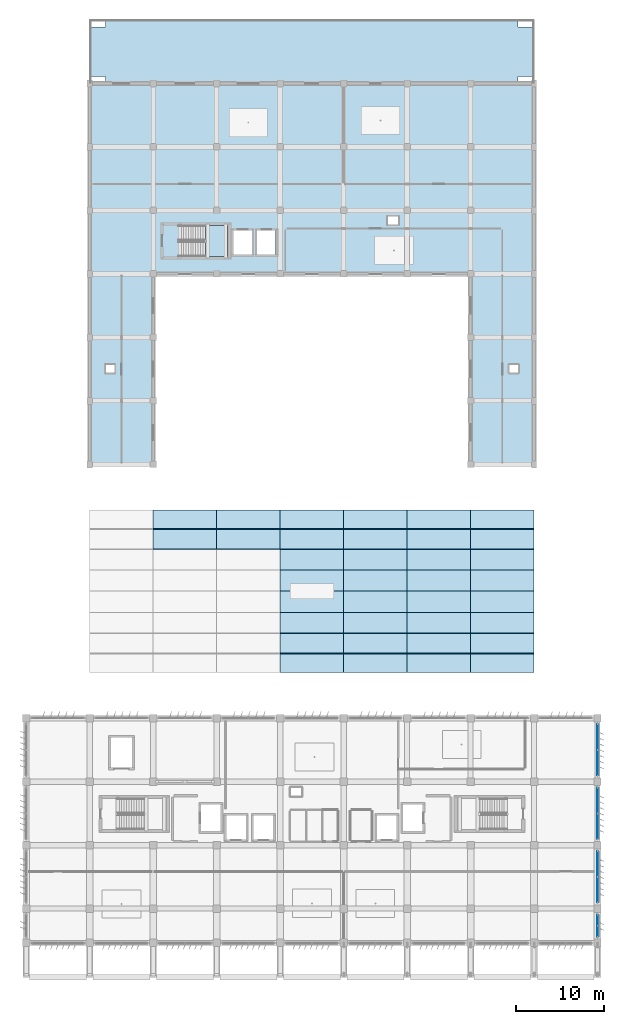
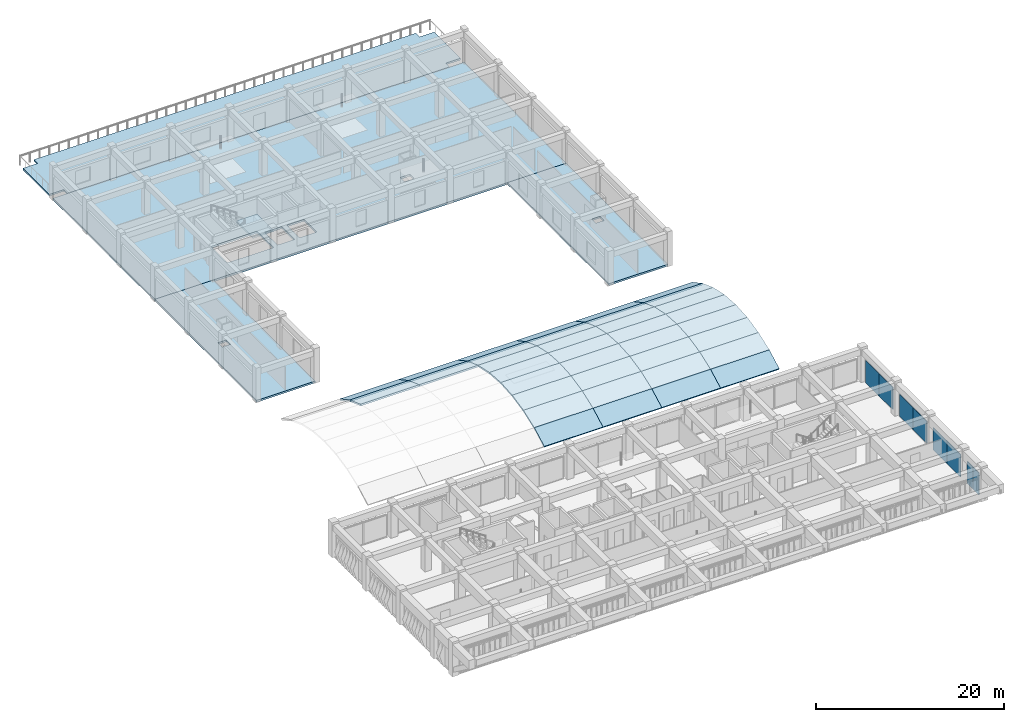
# One storey, part 33 of 56: 41 slabs, 8 plates, 5 elements without a shape of their own.
"""IFC4 building model written with IfcOpenShell, lengths in metres."""

import ifcopenshell
import ifcopenshell.guid

model = None  # the IFC model being written
_history = None  # IfcOwnerHistory: only IFC2X3 demands one
_inside = {}  # id of a spatial element -> (the spatial element, [elements in it])
_under = {}  # id of a project, library or spatial element -> (it, [spatial elements below it])
_declared = {}  # id of a project -> (the project, [libraries it declares])
_typed = {}  # id of a type object -> (the type object, [elements of that type])
_made_of = {}  # id of a material, layer set ... -> (it, [elements and type objects made of it])


def new_model(schema):
    """Start an empty IFC model of exactly this schema.

    Asked for "IFC4X3", IfcOpenShell would pick the latest addendum, in which some entities
    have other attributes; the version numbers below select the first issue.
    IFC2X3 requires an IfcOwnerHistory on every rooted entity: one is made here for all.
    """
    global model, _history
    if schema == "IFC4X3":
        model = ifcopenshell.file(schema_version=(4, 3, 0, 0))
    else:
        model = ifcopenshell.file(schema=schema)
    _inside.clear()
    _under.clear()
    _declared.clear()
    _typed.clear()
    _made_of.clear()
    _history = None
    if model.schema == "IFC2X3":
        org = make("IfcOrganization", Name="unknown")
        user = make(
            "IfcPersonAndOrganization",
            ThePerson=make("IfcPerson", FamilyName="unknown"),
            TheOrganization=org,
        )
        app = make(
            "IfcApplication",
            ApplicationDeveloper=org,
            Version="unknown",
            ApplicationFullName="unknown",
            ApplicationIdentifier="unknown",
        )
        _history = make(
            "IfcOwnerHistory",
            OwningUser=user,
            OwningApplication=app,
            ChangeAction="ADDED",
            CreationDate=0,
        )
    return model


def make(cls, **values):
    """One entity of the class cls with the attributes given. An attribute that is None is left unset."""
    return model.create_entity(
        cls, **{name: value for name, value in values.items() if value is not None}
    )


def rooted(cls, **values):
    """An entity with a GlobalId (a new one), such as an element, a storey or a relation."""
    return make(cls, GlobalId=ifcopenshell.guid.new(), OwnerHistory=_history, **values)


def si_unit(unit_type, name, prefix=None):
    """IfcSIUnit, for example si_unit("LENGTHUNIT", "METRE", prefix="MILLI")."""
    return make("IfcSIUnit", UnitType=unit_type, Prefix=prefix, Name=name)


def assignment(units):
    """IfcUnitAssignment: the units of a project."""
    return None if units is None else make("IfcUnitAssignment", Units=units)


def point(xyz):
    """IfcCartesianPoint."""
    return None if xyz is None else make("IfcCartesianPoint", Coordinates=xyz)


def direction(xyz):
    """IfcDirection."""
    return None if xyz is None else make("IfcDirection", DirectionRatios=xyz)


def frame(location, z_axis=None, x_axis=None):
    """IfcAxis2Placement3D, a coordinate frame: its origin and axes. An axis left out is left unset."""
    return make(
        "IfcAxis2Placement3D",
        Location=point(location),
        Axis=direction(z_axis),
        RefDirection=direction(x_axis),
    )


def frame_2d(location, x_axis=None):
    """IfcAxis2Placement2D, a coordinate frame in the plane: its origin and x axis."""
    return make(
        "IfcAxis2Placement2D", Location=point(location), RefDirection=direction(x_axis)
    )


def origin():
    """The frame at (0, 0, 0) with its axes left unset."""
    return frame((0.0, 0.0, 0.0))


def origin_2d():
    """The frame at (0, 0) in the plane with its x axis left unset."""
    return frame_2d((0.0, 0.0))


def place(relative_to, where):
    """IfcLocalPlacement: puts the frame where relative to a parent placement (None: the world)."""
    return make(
        "IfcLocalPlacement", PlacementRelTo=relative_to, RelativePlacement=where
    )


def context(
    kind, dimensions, precision=None, world=None, true_north=None, identifier=None
):
    """IfcGeometricRepresentationContext, for example the 3D "Model" context."""
    return make(
        "IfcGeometricRepresentationContext",
        ContextIdentifier=identifier,
        ContextType=kind,
        CoordinateSpaceDimension=dimensions,
        Precision=precision,
        WorldCoordinateSystem=world,
        TrueNorth=true_north,
    )


def subcontext(parent, identifier, kind, view, scale=None):
    """IfcGeometricRepresentationSubContext, for example "Body" below "Model"."""
    return make(
        "IfcGeometricRepresentationSubContext",
        ContextIdentifier=identifier,
        ContextType=kind,
        ParentContext=parent,
        TargetScale=scale,
        TargetView=view,
    )


def project(units=None, contexts=None):
    """IfcProject with its units and contexts."""
    return rooted(
        "IfcProject",
        Name="project",
        RepresentationContexts=contexts,
        UnitsInContext=assignment(units),
    )


def spatial(cls, under=None, at=None, **own):
    """A site, building, storey or space (cls), placed at a placement, below another one or the project."""
    s = rooted(cls, ObjectPlacement=at, **own)
    if under is not None:
        _under.setdefault(under.id(), (under, []))[1].append(s)
    return s


def polyline(points):
    """IfcPolyline through the points."""
    return make("IfcPolyline", Points=[point(p) for p in points])


def profile(cls, at=None, kind="AREA", **sizes):
    """A parametric profile (cls). Its sizes go by their IFC names, for example OverallWidth=200.0."""
    return make(cls, ProfileType=kind, Position=at, **sizes)


def rectangle(**sizes):
    """IfcRectangleProfileDef."""
    return profile("IfcRectangleProfileDef", **sizes)


def outline(outer, holes=None, kind="AREA"):
    """IfcArbitraryClosedProfileDef: a profile drawn as a closed curve; with holes, ...WithVoids."""
    if holes is None:
        return make("IfcArbitraryClosedProfileDef", ProfileType=kind, OuterCurve=outer)
    return make(
        "IfcArbitraryProfileDefWithVoids",
        ProfileType=kind,
        OuterCurve=outer,
        InnerCurves=holes,
    )


def extrude(swept, where, along, depth):
    """IfcExtrudedAreaSolid: the profile swept, set in the frame where, extruded along a direction by depth."""
    return make(
        "IfcExtrudedAreaSolid",
        SweptArea=swept,
        Position=where,
        ExtrudedDirection=direction(along),
        Depth=depth,
    )


def shape(context_of_items, identifier, shape_type, items):
    """IfcShapeRepresentation: the items that make up one representation, for example the "Body"."""
    return make(
        "IfcShapeRepresentation",
        ContextOfItems=context_of_items,
        RepresentationIdentifier=identifier,
        RepresentationType=shape_type,
        Items=items,
    )


def material(Name=None, Category=None):
    """IfcMaterial."""
    return make("IfcMaterial", Name=Name, Category=Category)


def layer(
    of_material, thickness, ventilated=None, Name=None, Category=None, Priority=None
):
    """IfcMaterialLayer: one layer of a wall or slab, of a material (None: an air gap)."""
    return make(
        "IfcMaterialLayer",
        Material=of_material,
        LayerThickness=thickness,
        IsVentilated=ventilated,
        Name=Name,
        Category=Category,
        Priority=Priority,
    )


def layer_set(layers, Name=None):
    """IfcMaterialLayerSet."""
    return make("IfcMaterialLayerSet", MaterialLayers=layers, LayerSetName=Name)


def made_of(thing, what):
    """Note that an element or type object is made of a material, layer set ...; save() writes the relation."""
    if what is not None:
        _made_of.setdefault(what.id(), (what, []))[1].append(thing)
    return thing


def type_object(cls, material=None, **own):
    """A type object (cls), such as IfcWallType, which elements share."""
    return made_of(rooted(cls, **own), material)


def element(
    cls,
    number,
    at=None,
    inside=None,
    cuts=None,
    type_object=None,
    material=None,
    context=None,
    identifier="Body",
    shape_type=None,
    held_by="IfcProductDefinitionShape",
    body=None,
    shapes=None,
    **own,
):
    """One element of the class cls, such as IfcWall. Its Tag is "e" and its number.

    at: its placement. inside: the storey or other place that contains it. cuts: it is an
    opening in that element (IfcRelVoidsElement). A single representation is given by context,
    identifier, shape_type and body (its items); several are given by shapes. held_by: the class
    of the entity that holds the representations. save() writes the other relations.
    """
    e = rooted(cls, Tag="e%d" % number, ObjectPlacement=at, **own)
    if body is not None:
        shapes = [shape(context, identifier, shape_type, body)]
    if shapes is not None:
        e.Representation = make(held_by, Representations=shapes)
    if inside is not None:
        _inside.setdefault(inside.id(), (inside, []))[1].append(e)
    if cuts is not None:
        rooted(
            "IfcRelVoidsElement", RelatingBuildingElement=cuts, RelatedOpeningElement=e
        )
    if type_object is not None:
        _typed.setdefault(type_object.id(), (type_object, []))[1].append(e)
    return made_of(e, material)


def aggregate(whole, parts):
    """IfcRelAggregates: a whole, such as a stair, and the parts it consists of."""
    return rooted("IfcRelAggregates", RelatingObject=whole, RelatedObjects=parts)


def save(model, path):
    """Write the relations noted so far, then the file.

    IfcRelAggregates (storeys below a building ...), IfcRelContainedInSpatialStructure (elements
    in a storey), IfcRelDefinesByType, IfcRelAssociatesMaterial and IfcRelDeclares: one each for
    every whole, place, type object, material and project.
    """
    for whole, parts in _under.values():
        aggregate(whole, parts)
    for where, things in _inside.values():
        rooted(
            "IfcRelContainedInSpatialStructure",
            RelatedElements=things,
            RelatingStructure=where,
        )
    for kind, things in _typed.values():
        rooted("IfcRelDefinesByType", RelatedObjects=things, RelatingType=kind)
    for what, things in _made_of.values():
        rooted("IfcRelAssociatesMaterial", RelatedObjects=things, RelatingMaterial=what)
    for by, libraries in _declared.values():
        rooted("IfcRelDeclares", RelatingContext=by, RelatedDefinitions=libraries)
    model.write(path)


model = new_model("IFC4")

# Units and contexts
model_context = context("Model", 3, precision=1e-05, world=origin(), true_north=direction((0.0, 1.0)))
body_context = subcontext(model_context, "Body", "Model", "MODEL_VIEW")
ifc_project = project(units=[si_unit("LENGTHUNIT", "METRE"), si_unit("AREAUNIT", "SQUARE_METRE"), si_unit("VOLUMEUNIT", "CUBIC_METRE"), si_unit("PLANEANGLEUNIT", "RADIAN"), si_unit("MASSUNIT", "GRAM", prefix="KILO")], contexts=[model_context])

# Site, building, storey
site_placement = place(None, origin())
site = spatial("IfcSite", under=ifc_project, at=site_placement, CompositionType="ELEMENT")
building_placement = place(site_placement, origin())
building = spatial("IfcBuilding", under=site, at=building_placement, Name="Kazehaya Institute of Natural Sciences", CompositionType="ELEMENT")
storey_placement = place(building_placement, frame((0.0, 0.0, 24.300048828125)))
storey = spatial("IfcBuildingStorey", under=building, at=storey_placement, Name="L05", CompositionType="ELEMENT", Elevation=24.300048828125)

# Curtain wall, plates
ifc_material_1 = material(Name="Aluminium alloy A6063S-T5", Category="aluminium")
curtain_wall_type_1 = type_object("IfcCurtainWallType", Name="CW-SYS-08", PredefinedType="NOTDEFINED", material=ifc_material_1)
curtain_wall_1_placement = place(storey_placement, origin())
curtain_wall_1 = element("IfcCurtainWall", 1, at=curtain_wall_1_placement, inside=storey, type_object=curtain_wall_type_1, Name="L05 unitised curtain wall CW-L05-113", PredefinedType="NOTDEFINED")
ifc_material_2 = material(Name="Insulated bronze aluminium spandrel panel", Category="aluminium")
ifc_layer_1 = layer(ifc_material_2, 0.080078125, Name="Insulated bronze aluminium spandrel panel", Category="aluminium")
ifc_layer_set_1 = layer_set([ifc_layer_1], Name="Insulated bronze aluminium spandrel panel")
plate_type = type_object("IfcPlateType", Name="CWP-06", PredefinedType="CURTAIN_PANEL", material=ifc_layer_set_1)
plate_1_placement = place(storey_placement, frame((119.39990234375, 12.68994140625, 0.06005859375), z_axis=(0.0, 0.0, 1.0), x_axis=(0.0, -1.0, 0.0)))
plate_1 = element("IfcPlate", 2, at=plate_1_placement, type_object=plate_type, Name="CW08 panel 1.1", PredefinedType="CURTAIN_PANEL", context=body_context, shape_type="SweptSolid", body=[
    extrude(rectangle(XDim=1.219970703125, YDim=0.080078125, at=origin_2d()), origin(), (0.0, 0.0, 1.0), 2.8798828125),
])
plate_2_placement = place(storey_placement, frame((119.39990234375, 11.409912109375, 0.06005859375), z_axis=(0.0, 0.0, 1.0), x_axis=(0.0, -1.0, 0.0)))
plate_2 = element("IfcPlate", 3, at=plate_2_placement, type_object=plate_type, Name="CW08 panel 2.1", PredefinedType="CURTAIN_PANEL", context=body_context, shape_type="SweptSolid", body=[
    extrude(rectangle(XDim=1.219970703125, YDim=0.080078125, at=origin_2d()), origin(), (0.0, 0.0, 1.0), 2.8798828125),
])
aggregate(curtain_wall_1, [plate_1, plate_2])

curtain_wall_type_2 = type_object("IfcCurtainWallType", Name="CW-SYS-10", PredefinedType="NOTDEFINED", material=ifc_material_1)
curtain_wall_2_placement = place(storey_placement, origin())
curtain_wall_2 = element("IfcCurtainWall", 4, at=curtain_wall_2_placement, inside=storey, type_object=curtain_wall_type_2, Name="L05 unitised curtain wall CW-L05-115", PredefinedType="NOTDEFINED")
plate_3_placement = place(storey_placement, frame((119.39990234375, 19.06494140625, 0.06005859375), z_axis=(0.0, 0.0, 1.0), x_axis=(0.0, -1.0, 0.0)))
plate_3 = element("IfcPlate", 5, at=plate_3_placement, type_object=plate_type, Name="CW10 panel 1.1", PredefinedType="CURTAIN_PANEL", context=body_context, shape_type="SweptSolid", body=[
    extrude(rectangle(XDim=2.8701171875, YDim=0.080078125, at=origin_2d()), origin(), (0.0, 0.0, 1.0), 2.8798828125),
])
plate_4_placement = place(storey_placement, frame((119.39990234375, 16.135009765625, 0.06005859375), z_axis=(0.0, 0.0, 1.0), x_axis=(0.0, -1.0, 0.0)))
plate_4 = element("IfcPlate", 6, at=plate_4_placement, type_object=plate_type, Name="CW10 panel 2.1", PredefinedType="CURTAIN_PANEL", context=body_context, shape_type="SweptSolid", body=[
    extrude(rectangle(XDim=2.8701171875, YDim=0.080078125, at=origin_2d()), origin(), (0.0, 0.0, 1.0), 2.8798828125),
])
aggregate(curtain_wall_2, [plate_3, plate_4])

curtain_wall_3_placement = place(storey_placement, origin())
curtain_wall_3 = element("IfcCurtainWall", 7, at=curtain_wall_3_placement, inside=storey, type_object=curtain_wall_type_2, Name="L05 unitised curtain wall CW-L05-117", PredefinedType="NOTDEFINED")
plate_5_placement = place(storey_placement, frame((119.39990234375, 26.264892578125, 0.06005859375), z_axis=(0.0, 0.0, 1.0), x_axis=(0.0, -1.0, 0.0)))
plate_5 = element("IfcPlate", 8, at=plate_5_placement, type_object=plate_type, Name="CW10 panel 1.1", PredefinedType="CURTAIN_PANEL", context=body_context, shape_type="SweptSolid", body=[
    extrude(rectangle(XDim=2.8701171875, YDim=0.080078125, at=origin_2d()), origin(), (0.0, 0.0, 1.0), 2.8798828125),
])
plate_6_placement = place(storey_placement, frame((119.39990234375, 23.3349609375, 0.06005859375), z_axis=(0.0, 0.0, 1.0), x_axis=(0.0, -1.0, 0.0)))
plate_6 = element("IfcPlate", 9, at=plate_6_placement, type_object=plate_type, Name="CW10 panel 2.1", PredefinedType="CURTAIN_PANEL", context=body_context, shape_type="SweptSolid", body=[
    extrude(rectangle(XDim=2.8701171875, YDim=0.080078125, at=origin_2d()), origin(), (0.0, 0.0, 1.0), 2.8798828125),
])
aggregate(curtain_wall_3, [plate_5, plate_6])

curtain_wall_4_placement = place(storey_placement, origin())
curtain_wall_4 = element("IfcCurtainWall", 10, at=curtain_wall_4_placement, inside=storey, type_object=curtain_wall_type_2, Name="L05 unitised curtain wall CW-L05-119", PredefinedType="NOTDEFINED")
plate_7_placement = place(storey_placement, frame((119.39990234375, 33.465087890625, 0.06005859375), z_axis=(0.0, 0.0, 1.0), x_axis=(0.0, -1.0, 0.0)))
plate_7 = element("IfcPlate", 11, at=plate_7_placement, type_object=plate_type, Name="CW10 panel 1.1", PredefinedType="CURTAIN_PANEL", context=body_context, shape_type="SweptSolid", body=[
    extrude(rectangle(XDim=2.8701171875, YDim=0.080078125, at=origin_2d()), origin(), (0.0, 0.0, 1.0), 2.8798828125),
])
plate_8_placement = place(storey_placement, frame((119.39990234375, 30.534912109375, 0.06005859375), z_axis=(0.0, 0.0, 1.0), x_axis=(0.0, -1.0, 0.0)))
plate_8 = element("IfcPlate", 12, at=plate_8_placement, type_object=plate_type, Name="CW10 panel 2.1", PredefinedType="CURTAIN_PANEL", context=body_context, shape_type="SweptSolid", body=[
    extrude(rectangle(XDim=2.8701171875, YDim=0.080078125, at=origin_2d()), origin(), (0.0, 0.0, 1.0), 2.8798828125),
])
aggregate(curtain_wall_4, [plate_7, plate_8])

# Slabs
ifc_material_3 = material(Name="Concrete Fc36", Category="concrete")
ifc_layer_2 = layer(ifc_material_3, 0.239990234375, Name="Concrete Fc36", Category="concrete")
ifc_layer_set_2 = layer_set([ifc_layer_2], Name="Concrete Fc36")
slab_type_1 = type_object("IfcSlabType", Name="SL-FLR-240", PredefinedType="FLOOR", material=ifc_layer_set_2)
slab_1_placement = place(storey_placement, frame((0.0, 0.0, -0.239990234375)))
element("IfcSlab", 13, at=slab_1_placement, inside=storey, type_object=slab_type_1, Name="L05 structural slab L05-VOL5W", PredefinedType="FLOOR", context=body_context, shape_type="SweptSolid", body=[
    extrude(outline(polyline([(61.800048828125, 64.39990234375), (69.0, 64.39990234375), (69.0, 86.0), (61.800048828125, 86.0), (61.800048828125, 64.39990234375)]), holes=[polyline([(63.60009765625, 74.800048828125), (64.60009765625, 74.800048828125), (64.60009765625, 75.699951171875), (63.60009765625, 75.699951171875), (63.60009765625, 74.800048828125)])]), origin(), (0.0, 0.0, 1.0), 0.239990234375),
])
slab_2_placement = place(storey_placement, frame((0.0, 0.0, -0.239990234375)))
element("IfcSlab", 14, at=slab_2_placement, inside=storey, type_object=slab_type_1, Name="L05 structural slab L05-VOL5E", PredefinedType="FLOOR", context=body_context, shape_type="SweptSolid", body=[
    extrude(outline(polyline([(105.0, 64.39990234375), (112.199951171875, 64.39990234375), (112.199951171875, 86.0), (105.0, 86.0), (105.0, 64.39990234375)]), holes=[polyline([(109.39990234375, 74.800048828125), (110.39990234375, 74.800048828125), (110.39990234375, 75.699951171875), (109.39990234375, 75.699951171875), (109.39990234375, 74.800048828125)])]), origin(), (0.0, 0.0, 1.0), 0.239990234375),
])
ifc_layer_3 = layer(ifc_material_3, 0.25, Name="Concrete Fc36", Category="concrete")
ifc_layer_set_3 = layer_set([ifc_layer_3], Name="Concrete Fc36")
slab_type_2 = type_object("IfcSlabType", Name="SL-FLR-250", PredefinedType="FLOOR", material=ifc_layer_set_3)
slab_3_placement = place(storey_placement, frame((0.0, 0.0, -0.25)))
element("IfcSlab", 15, at=slab_3_placement, inside=storey, type_object=slab_type_2, Name="L05 structural slab L05-VOL5N", PredefinedType="FLOOR", context=body_context, shape_type="SweptSolid", body=[
    extrude(outline(polyline([(61.800048828125, 86.0), (112.199951171875, 86.0), (112.199951171875, 107.60009765625), (61.800048828125, 107.60009765625), (61.800048828125, 86.0)]), holes=[polyline([(95.60009765625, 91.60009765625), (96.800048828125, 91.60009765625), (96.800048828125, 92.5), (95.60009765625, 92.5), (95.60009765625, 91.60009765625)]), polyline([(71.860107421875, 88.0), (77.5, 88.0), (77.5, 91.47998046875), (71.860107421875, 91.47998046875), (71.860107421875, 88.0)]), polyline([(78.10009765625, 88.199951171875), (80.199951171875, 88.199951171875), (80.199951171875, 90.89990234375), (78.10009765625, 90.89990234375), (78.10009765625, 88.199951171875)]), polyline([(80.800048828125, 88.199951171875), (82.89990234375, 88.199951171875), (82.89990234375, 90.89990234375), (80.800048828125, 90.89990234375), (80.800048828125, 88.199951171875)])]), origin(), (0.0, 0.0, 1.0), 0.25),
])

# Stair, slab
stair_type = type_object("IfcStairType", Name="STR-DOG-4500", PredefinedType="HALF_TURN_STAIR", material=ifc_material_3)
stair_placement = place(storey_placement, origin())
stair = element("IfcStair", 16, at=stair_placement, inside=storey, type_object=stair_type, Name="L05 Protected Escape Stair ST-3", PredefinedType="HALF_TURN_STAIR")
ifc_layer_4 = layer(ifc_material_3, 0.159912109375, Name="Concrete Fc36", Category="concrete")
ifc_layer_set_4 = layer_set([ifc_layer_4], Name="Concrete Fc36")
slab_type_3 = type_object("IfcSlabType", Name="SL-LND-160", PredefinedType="LANDING", material=ifc_layer_set_4)
slab_4_placement = place(storey_placement, frame((0.0, 0.0, 2.050048828125)))
slab_4 = element("IfcSlab", 17, at=slab_4_placement, type_object=slab_type_3, Name="ST-3 landing 1", PredefinedType="LANDING", context=body_context, shape_type="SweptSolid", body=[
    extrude(outline(polyline([(74.93994140625, 88.0), (77.5, 88.0), (77.5, 91.47998046875), (74.93994140625, 91.47998046875), (74.93994140625, 88.0)])), origin(), (0.0, 0.0, 1.0), 0.199951171875),
])
aggregate(stair, [slab_4])

# Slabs
ifc_layer_5 = layer(ifc_material_3, 0.199951171875, Name="Concrete Fc36", Category="concrete")
ifc_layer_set_5 = layer_set([ifc_layer_5], Name="Concrete Fc36")
slab_type_4 = type_object("IfcSlabType", Name="SL-SHL-200", PredefinedType="ROOF", material=ifc_layer_set_5)
slab_5_placement = place(storey_placement, frame((69.0, 54.811767578125, 2.812744140625), z_axis=(0.0, 0.347112002648, 0.937823681519), x_axis=(1.0, 0.0, 0.0)))
element("IfcSlab", 18, at=slab_5_placement, inside=storey, type_object=slab_type_4, Name="SH-VOL2 barrel vault shell strip 10", PredefinedType="ROOF", context=body_context, shape_type="SweptSolid", body=[
    extrude(outline(polyline([(0.0, 0.0), (7.199951171875, 0.0), (7.199951171875, 2.436398391725638), (0.0, 2.436398391725638), (0.0, 0.0)])), origin(), (0.0, 0.0, -1.0), 0.199951171875),
])
slab_6_placement = place(storey_placement, frame((69.0, 57.0966796875, 1.967041015625), z_axis=(0.0, 0.476350933453, 0.87925524633), x_axis=(1.0, 0.0, 0.0)))
element("IfcSlab", 19, at=slab_6_placement, inside=storey, type_object=slab_type_4, Name="SH-VOL2 barrel vault shell strip 11", PredefinedType="ROOF", context=body_context, shape_type="SweptSolid", body=[
    extrude(outline(polyline([(0.0, 0.0), (7.199951171875, 0.0), (7.199951171875, 2.436532501020373), (0.0, 2.436532501020373), (0.0, 0.0)])), origin(), (0.0, 0.0, -1.0), 0.199951171875),
])
slab_7_placement = place(storey_placement, frame((76.199951171875, 54.811767578125, 2.812744140625), z_axis=(0.0, 0.347112002648, 0.937823681519), x_axis=(1.0, 0.0, 0.0)))
element("IfcSlab", 20, at=slab_7_placement, inside=storey, type_object=slab_type_4, Name="SH-VOL2 barrel vault shell strip 10", PredefinedType="ROOF", context=body_context, shape_type="SweptSolid", body=[
    extrude(outline(polyline([(0.0, 0.0), (7.199951171875, 0.0), (7.199951171875, 2.436398391725638), (0.0, 2.436398391725638), (0.0, 0.0)])), origin(), (0.0, 0.0, -1.0), 0.199951171875),
])
slab_8_placement = place(storey_placement, frame((76.199951171875, 57.0966796875, 1.967041015625), z_axis=(0.0, 0.476350933453, 0.87925524633), x_axis=(1.0, 0.0, 0.0)))
element("IfcSlab", 21, at=slab_8_placement, inside=storey, type_object=slab_type_4, Name="SH-VOL2 barrel vault shell strip 11", PredefinedType="ROOF", context=body_context, shape_type="SweptSolid", body=[
    extrude(outline(polyline([(0.0, 0.0), (7.199951171875, 0.0), (7.199951171875, 2.436532501020373), (0.0, 2.436532501020373), (0.0, 0.0)])), origin(), (0.0, 0.0, -1.0), 0.199951171875),
])
slab_9_placement = place(storey_placement, frame((83.39990234375, 40.760986328125, 0.806396484375), z_axis=(0.0, -0.476350933453, 0.87925524633), x_axis=(1.0, 0.0, 0.0)))
element("IfcSlab", 22, at=slab_9_placement, inside=storey, type_object=slab_type_4, Name="SH-VOL2 barrel vault shell strip 4", PredefinedType="ROOF", context=body_context, shape_type="SweptSolid", body=[
    extrude(outline(polyline([(0.0, 0.0), (7.2001953125, 0.0), (7.2001953125, 2.4365325010203733), (0.0, 2.4365325010203733), (0.0, 0.0)])), origin(), (0.0, 0.0, -1.0), 0.199951171875),
])
slab_10_placement = place(storey_placement, frame((83.39990234375, 42.9033203125, 1.967041015625), z_axis=(0.0, -0.347112002648, 0.937823681519), x_axis=(1.0, 0.0, 0.0)))
element("IfcSlab", 23, at=slab_10_placement, inside=storey, type_object=slab_type_4, Name="SH-VOL2 barrel vault shell strip 5", PredefinedType="ROOF", context=body_context, shape_type="SweptSolid", body=[
    extrude(outline(polyline([(0.0, 0.0), (7.2001953125, 0.0), (7.2001953125, 2.4363983917256387), (0.0, 2.4363983917256387), (0.0, 0.0)])), origin(), (0.0, 0.0, -1.0), 0.199951171875),
])
slab_11_placement = place(storey_placement, frame((83.39990234375, 45.188232421875, 2.812744140625), z_axis=(0.0, -0.211239645858, 0.977434300615), x_axis=(1.0, 0.0, 0.0)))
element("IfcSlab", 24, at=slab_11_placement, inside=storey, type_object=slab_type_4, Name="SH-VOL2 barrel vault shell strip 6", PredefinedType="ROOF", context=body_context, shape_type="SweptSolid", body=[
    extrude(outline(polyline([(0.0, 0.0), (7.2001953125, 0.0), (7.2001953125, 2.4363250345856073), (0.0, 2.4363250345856073), (0.0, 0.0)])), origin(), (0.0, 0.0, -1.0), 0.199951171875),
])
for number, where, z_axis, x_axis, name in (
    (25, (83.39990234375, 47.569580078125, 3.327392578125), (0.0, -0.070841159175, 0.997487609029), (1.0, 0.0, 0.0), "SH-VOL2 barrel vault shell strip 7"),
    (26, (83.39990234375, 50.0, 3.5), (0.0, 0.070841159175, 0.997487609029), (1.0, 0.0, 0.0), "SH-VOL2 barrel vault shell strip 8"),
):
    element("IfcSlab", number, at=place(storey_placement, frame(where, z_axis=z_axis, x_axis=x_axis)), inside=storey, type_object=slab_type_4, Name=name, PredefinedType="ROOF", context=body_context, shape_type="SweptSolid", body=[
        extrude(outline(polyline([(0.0, 0.0), (7.2001953125, 0.0), (7.2001953125, 2.436541466655804), (0.0, 2.436541466655804), (0.0, 0.0)])), origin(), (0.0, 0.0, -1.0), 0.199951171875),
    ])
slab_12_placement = place(storey_placement, frame((83.39990234375, 52.430419921875, 3.327392578125), z_axis=(0.0, 0.211239645858, 0.977434300615), x_axis=(1.0, 0.0, 0.0)))
element("IfcSlab", 27, at=slab_12_placement, inside=storey, type_object=slab_type_4, Name="SH-VOL2 barrel vault shell strip 9", PredefinedType="ROOF", context=body_context, shape_type="SweptSolid", body=[
    extrude(outline(polyline([(0.0, 0.0), (7.2001953125, 0.0), (7.2001953125, 2.4363250345856073), (0.0, 2.4363250345856073), (0.0, 0.0)])), origin(), (0.0, 0.0, -1.0), 0.199951171875),
])
slab_13_placement = place(storey_placement, frame((83.39990234375, 54.811767578125, 2.812744140625), z_axis=(0.0, 0.347112002648, 0.937823681519), x_axis=(1.0, 0.0, 0.0)))
element("IfcSlab", 28, at=slab_13_placement, inside=storey, type_object=slab_type_4, Name="SH-VOL2 barrel vault shell strip 10", PredefinedType="ROOF", context=body_context, shape_type="SweptSolid", body=[
    extrude(outline(polyline([(0.0, 0.0), (7.2001953125, 0.0), (7.2001953125, 2.4363983917256387), (0.0, 2.4363983917256387), (0.0, 0.0)])), origin(), (0.0, 0.0, -1.0), 0.199951171875),
])
slab_14_placement = place(storey_placement, frame((83.39990234375, 57.0966796875, 1.967041015625), z_axis=(0.0, 0.476350933453, 0.87925524633), x_axis=(1.0, 0.0, 0.0)))
element("IfcSlab", 29, at=slab_14_placement, inside=storey, type_object=slab_type_4, Name="SH-VOL2 barrel vault shell strip 11", PredefinedType="ROOF", context=body_context, shape_type="SweptSolid", body=[
    extrude(outline(polyline([(0.0, 0.0), (7.2001953125, 0.0), (7.2001953125, 2.4365325010203733), (0.0, 2.4365325010203733), (0.0, 0.0)])), origin(), (0.0, 0.0, -1.0), 0.199951171875),
])
slab_15_placement = place(storey_placement, frame((90.60009765625, 40.760986328125, 0.806396484375), z_axis=(0.0, -0.476350933453, 0.87925524633), x_axis=(1.0, 0.0, 0.0)))
element("IfcSlab", 30, at=slab_15_placement, inside=storey, type_object=slab_type_4, Name="SH-VOL2 barrel vault shell strip 4", PredefinedType="ROOF", context=body_context, shape_type="SweptSolid", body=[
    extrude(outline(polyline([(0.0, 0.0), (7.199951171875, 0.0), (7.199951171875, 2.436532501020373), (0.0, 2.436532501020373), (0.0, 0.0)])), origin(), (0.0, 0.0, -1.0), 0.199951171875),
])
slab_16_placement = place(storey_placement, frame((90.60009765625, 42.9033203125, 1.967041015625), z_axis=(0.0, -0.347112002648, 0.937823681519), x_axis=(1.0, 0.0, 0.0)))
element("IfcSlab", 31, at=slab_16_placement, inside=storey, type_object=slab_type_4, Name="SH-VOL2 barrel vault shell strip 5", PredefinedType="ROOF", context=body_context, shape_type="SweptSolid", body=[
    extrude(outline(polyline([(0.0, 0.0), (7.199951171875, 0.0), (7.199951171875, 2.436398391725638), (0.0, 2.436398391725638), (0.0, 0.0)])), origin(), (0.0, 0.0, -1.0), 0.199951171875),
])
slab_17_placement = place(storey_placement, frame((90.60009765625, 45.188232421875, 2.812744140625), z_axis=(0.0, -0.211239645858, 0.977434300615), x_axis=(1.0, 0.0, 0.0)))
element("IfcSlab", 32, at=slab_17_placement, inside=storey, type_object=slab_type_4, Name="SH-VOL2 barrel vault shell strip 6", PredefinedType="ROOF", context=body_context, shape_type="SweptSolid", body=[
    extrude(outline(polyline([(0.0, 0.0), (7.199951171875, 0.0), (7.199951171875, 2.4363250345856073), (0.0, 2.4363250345856073), (0.0, 0.0)])), origin(), (0.0, 0.0, -1.0), 0.199951171875),
])
for number, where, z_axis, x_axis, name in (
    (33, (90.60009765625, 47.569580078125, 3.327392578125), (0.0, -0.070841159175, 0.997487609029), (1.0, 0.0, 0.0), "SH-VOL2 barrel vault shell strip 7"),
    (34, (90.60009765625, 50.0, 3.5), (0.0, 0.070841159175, 0.997487609029), (1.0, 0.0, 0.0), "SH-VOL2 barrel vault shell strip 8"),
):
    element("IfcSlab", number, at=place(storey_placement, frame(where, z_axis=z_axis, x_axis=x_axis)), inside=storey, type_object=slab_type_4, Name=name, PredefinedType="ROOF", context=body_context, shape_type="SweptSolid", body=[
        extrude(outline(polyline([(0.0, 0.0), (7.199951171875, 0.0), (7.199951171875, 2.436541466655804), (0.0, 2.436541466655804), (0.0, 0.0)])), origin(), (0.0, 0.0, -1.0), 0.199951171875),
    ])
slab_18_placement = place(storey_placement, frame((90.60009765625, 52.430419921875, 3.327392578125), z_axis=(0.0, 0.211239645858, 0.977434300615), x_axis=(1.0, 0.0, 0.0)))
element("IfcSlab", 35, at=slab_18_placement, inside=storey, type_object=slab_type_4, Name="SH-VOL2 barrel vault shell strip 9", PredefinedType="ROOF", context=body_context, shape_type="SweptSolid", body=[
    extrude(outline(polyline([(0.0, 0.0), (7.199951171875, 0.0), (7.199951171875, 2.4363250345856073), (0.0, 2.4363250345856073), (0.0, 0.0)])), origin(), (0.0, 0.0, -1.0), 0.199951171875),
])
slab_19_placement = place(storey_placement, frame((90.60009765625, 54.811767578125, 2.812744140625), z_axis=(0.0, 0.347112002648, 0.937823681519), x_axis=(1.0, 0.0, 0.0)))
element("IfcSlab", 36, at=slab_19_placement, inside=storey, type_object=slab_type_4, Name="SH-VOL2 barrel vault shell strip 10", PredefinedType="ROOF", context=body_context, shape_type="SweptSolid", body=[
    extrude(outline(polyline([(0.0, 0.0), (7.199951171875, 0.0), (7.199951171875, 2.436398391725638), (0.0, 2.436398391725638), (0.0, 0.0)])), origin(), (0.0, 0.0, -1.0), 0.199951171875),
])
for number, where, z_axis, x_axis, name in (
    (37, (90.60009765625, 57.0966796875, 1.967041015625), (0.0, 0.476350933453, 0.87925524633), (1.0, 0.0, 0.0), "SH-VOL2 barrel vault shell strip 11"),
    (38, (97.800048828125, 40.760986328125, 0.806396484375), (0.0, -0.476350933453, 0.87925524633), (1.0, 0.0, 0.0), "SH-VOL2 barrel vault shell strip 4"),
):
    element("IfcSlab", number, at=place(storey_placement, frame(where, z_axis=z_axis, x_axis=x_axis)), inside=storey, type_object=slab_type_4, Name=name, PredefinedType="ROOF", context=body_context, shape_type="SweptSolid", body=[
        extrude(outline(polyline([(0.0, 0.0), (7.199951171875, 0.0), (7.199951171875, 2.436532501020373), (0.0, 2.436532501020373), (0.0, 0.0)])), origin(), (0.0, 0.0, -1.0), 0.199951171875),
    ])
slab_20_placement = place(storey_placement, frame((97.800048828125, 42.9033203125, 1.967041015625), z_axis=(0.0, -0.347112002648, 0.937823681519), x_axis=(1.0, 0.0, 0.0)))
element("IfcSlab", 39, at=slab_20_placement, inside=storey, type_object=slab_type_4, Name="SH-VOL2 barrel vault shell strip 5", PredefinedType="ROOF", context=body_context, shape_type="SweptSolid", body=[
    extrude(outline(polyline([(0.0, 0.0), (7.199951171875, 0.0), (7.199951171875, 2.436398391725638), (0.0, 2.436398391725638), (0.0, 0.0)])), origin(), (0.0, 0.0, -1.0), 0.199951171875),
])
slab_21_placement = place(storey_placement, frame((97.800048828125, 45.188232421875, 2.812744140625), z_axis=(0.0, -0.211239645858, 0.977434300615), x_axis=(1.0, 0.0, 0.0)))
element("IfcSlab", 40, at=slab_21_placement, inside=storey, type_object=slab_type_4, Name="SH-VOL2 barrel vault shell strip 6", PredefinedType="ROOF", context=body_context, shape_type="SweptSolid", body=[
    extrude(outline(polyline([(0.0, 0.0), (7.199951171875, 0.0), (7.199951171875, 2.4363250345856073), (0.0, 2.4363250345856073), (0.0, 0.0)])), origin(), (0.0, 0.0, -1.0), 0.199951171875),
])
for number, where, z_axis, x_axis, name in (
    (41, (97.800048828125, 47.569580078125, 3.327392578125), (0.0, -0.070841159175, 0.997487609029), (1.0, 0.0, 0.0), "SH-VOL2 barrel vault shell strip 7"),
    (42, (97.800048828125, 50.0, 3.5), (0.0, 0.070841159175, 0.997487609029), (1.0, 0.0, 0.0), "SH-VOL2 barrel vault shell strip 8"),
):
    element("IfcSlab", number, at=place(storey_placement, frame(where, z_axis=z_axis, x_axis=x_axis)), inside=storey, type_object=slab_type_4, Name=name, PredefinedType="ROOF", context=body_context, shape_type="SweptSolid", body=[
        extrude(outline(polyline([(0.0, 0.0), (7.199951171875, 0.0), (7.199951171875, 2.436541466655804), (0.0, 2.436541466655804), (0.0, 0.0)])), origin(), (0.0, 0.0, -1.0), 0.199951171875),
    ])
slab_22_placement = place(storey_placement, frame((97.800048828125, 52.430419921875, 3.327392578125), z_axis=(0.0, 0.211239645858, 0.977434300615), x_axis=(1.0, 0.0, 0.0)))
element("IfcSlab", 43, at=slab_22_placement, inside=storey, type_object=slab_type_4, Name="SH-VOL2 barrel vault shell strip 9", PredefinedType="ROOF", context=body_context, shape_type="SweptSolid", body=[
    extrude(outline(polyline([(0.0, 0.0), (7.199951171875, 0.0), (7.199951171875, 2.4363250345856073), (0.0, 2.4363250345856073), (0.0, 0.0)])), origin(), (0.0, 0.0, -1.0), 0.199951171875),
])
slab_23_placement = place(storey_placement, frame((97.800048828125, 54.811767578125, 2.812744140625), z_axis=(0.0, 0.347112002648, 0.937823681519), x_axis=(1.0, 0.0, 0.0)))
element("IfcSlab", 44, at=slab_23_placement, inside=storey, type_object=slab_type_4, Name="SH-VOL2 barrel vault shell strip 10", PredefinedType="ROOF", context=body_context, shape_type="SweptSolid", body=[
    extrude(outline(polyline([(0.0, 0.0), (7.199951171875, 0.0), (7.199951171875, 2.436398391725638), (0.0, 2.436398391725638), (0.0, 0.0)])), origin(), (0.0, 0.0, -1.0), 0.199951171875),
])
for number, where, z_axis, x_axis, name in (
    (45, (97.800048828125, 57.0966796875, 1.967041015625), (0.0, 0.476350933453, 0.87925524633), (1.0, 0.0, 0.0), "SH-VOL2 barrel vault shell strip 11"),
    (46, (105.0, 40.760986328125, 0.806396484375), (0.0, -0.476350933453, 0.87925524633), (1.0, 0.0, 0.0), "SH-VOL2 barrel vault shell strip 4"),
):
    element("IfcSlab", number, at=place(storey_placement, frame(where, z_axis=z_axis, x_axis=x_axis)), inside=storey, type_object=slab_type_4, Name=name, PredefinedType="ROOF", context=body_context, shape_type="SweptSolid", body=[
        extrude(outline(polyline([(0.0, 0.0), (7.199951171875, 0.0), (7.199951171875, 2.436532501020373), (0.0, 2.436532501020373), (0.0, 0.0)])), origin(), (0.0, 0.0, -1.0), 0.199951171875),
    ])
slab_24_placement = place(storey_placement, frame((105.0, 42.9033203125, 1.967041015625), z_axis=(0.0, -0.347112002648, 0.937823681519), x_axis=(1.0, 0.0, 0.0)))
element("IfcSlab", 47, at=slab_24_placement, inside=storey, type_object=slab_type_4, Name="SH-VOL2 barrel vault shell strip 5", PredefinedType="ROOF", context=body_context, shape_type="SweptSolid", body=[
    extrude(outline(polyline([(0.0, 0.0), (7.199951171875, 0.0), (7.199951171875, 2.436398391725638), (0.0, 2.436398391725638), (0.0, 0.0)])), origin(), (0.0, 0.0, -1.0), 0.199951171875),
])
slab_25_placement = place(storey_placement, frame((105.0, 45.188232421875, 2.812744140625), z_axis=(0.0, -0.211239645858, 0.977434300615), x_axis=(1.0, 0.0, 0.0)))
element("IfcSlab", 48, at=slab_25_placement, inside=storey, type_object=slab_type_4, Name="SH-VOL2 barrel vault shell strip 6", PredefinedType="ROOF", context=body_context, shape_type="SweptSolid", body=[
    extrude(outline(polyline([(0.0, 0.0), (7.199951171875, 0.0), (7.199951171875, 2.4363250345856073), (0.0, 2.4363250345856073), (0.0, 0.0)])), origin(), (0.0, 0.0, -1.0), 0.199951171875),
])
for number, where, z_axis, x_axis, name in (
    (49, (105.0, 47.569580078125, 3.327392578125), (0.0, -0.070841159175, 0.997487609029), (1.0, 0.0, 0.0), "SH-VOL2 barrel vault shell strip 7"),
    (50, (105.0, 50.0, 3.5), (0.0, 0.070841159175, 0.997487609029), (1.0, 0.0, 0.0), "SH-VOL2 barrel vault shell strip 8"),
):
    element("IfcSlab", number, at=place(storey_placement, frame(where, z_axis=z_axis, x_axis=x_axis)), inside=storey, type_object=slab_type_4, Name=name, PredefinedType="ROOF", context=body_context, shape_type="SweptSolid", body=[
        extrude(outline(polyline([(0.0, 0.0), (7.199951171875, 0.0), (7.199951171875, 2.436541466655804), (0.0, 2.436541466655804), (0.0, 0.0)])), origin(), (0.0, 0.0, -1.0), 0.199951171875),
    ])
slab_26_placement = place(storey_placement, frame((105.0, 52.430419921875, 3.327392578125), z_axis=(0.0, 0.211239645858, 0.977434300615), x_axis=(1.0, 0.0, 0.0)))
element("IfcSlab", 51, at=slab_26_placement, inside=storey, type_object=slab_type_4, Name="SH-VOL2 barrel vault shell strip 9", PredefinedType="ROOF", context=body_context, shape_type="SweptSolid", body=[
    extrude(outline(polyline([(0.0, 0.0), (7.199951171875, 0.0), (7.199951171875, 2.4363250345856073), (0.0, 2.4363250345856073), (0.0, 0.0)])), origin(), (0.0, 0.0, -1.0), 0.199951171875),
])
slab_27_placement = place(storey_placement, frame((105.0, 54.811767578125, 2.812744140625), z_axis=(0.0, 0.347112002648, 0.937823681519), x_axis=(1.0, 0.0, 0.0)))
element("IfcSlab", 52, at=slab_27_placement, inside=storey, type_object=slab_type_4, Name="SH-VOL2 barrel vault shell strip 10", PredefinedType="ROOF", context=body_context, shape_type="SweptSolid", body=[
    extrude(outline(polyline([(0.0, 0.0), (7.199951171875, 0.0), (7.199951171875, 2.436398391725638), (0.0, 2.436398391725638), (0.0, 0.0)])), origin(), (0.0, 0.0, -1.0), 0.199951171875),
])
slab_28_placement = place(storey_placement, frame((105.0, 57.0966796875, 1.967041015625), z_axis=(0.0, 0.476350933453, 0.87925524633), x_axis=(1.0, 0.0, 0.0)))
element("IfcSlab", 53, at=slab_28_placement, inside=storey, type_object=slab_type_4, Name="SH-VOL2 barrel vault shell strip 11", PredefinedType="ROOF", context=body_context, shape_type="SweptSolid", body=[
    extrude(outline(polyline([(0.0, 0.0), (7.199951171875, 0.0), (7.199951171875, 2.436532501020373), (0.0, 2.436532501020373), (0.0, 0.0)])), origin(), (0.0, 0.0, -1.0), 0.199951171875),
])
ifc_layer_6 = layer(ifc_material_3, 0.219970703125, Name="Concrete Fc36", Category="concrete")
ifc_layer_set_6 = layer_set([ifc_layer_6], Name="Concrete Fc36")
slab_type_5 = type_object("IfcSlabType", Name="SL-TER-220", PredefinedType="FLOOR", material=ifc_layer_set_6)
slab_29_placement = place(storey_placement, frame((0.0, 0.0, -0.219970703125)))
element("IfcSlab", 54, at=slab_29_placement, inside=storey, type_object=slab_type_5, Name="L05 outdoor terrace slab EXT-L05-TER5", PredefinedType="FLOOR", context=body_context, shape_type="SweptSolid", body=[
    extrude(outline(polyline([(63.60009765625, 107.60009765625), (110.39990234375, 107.60009765625), (110.39990234375, 108.39990234375), (112.199951171875, 108.39990234375), (112.199951171875, 114.0), (110.39990234375, 114.0), (110.39990234375, 114.800048828125), (63.60009765625, 114.800048828125), (63.60009765625, 114.0), (61.800048828125, 114.0), (61.800048828125, 108.39990234375), (63.60009765625, 108.39990234375), (63.60009765625, 107.60009765625)])), origin(), (0.0, 0.0, 1.0), 0.219970703125),
])

save(model, "model.ifc")
